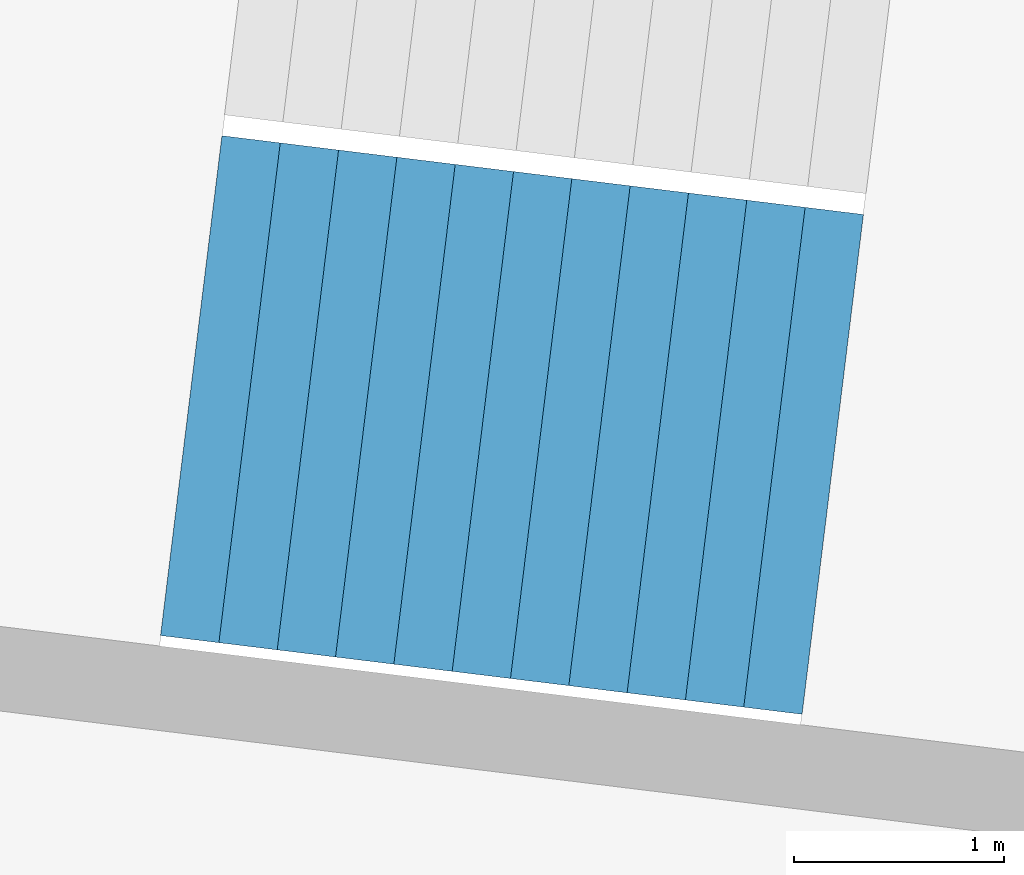
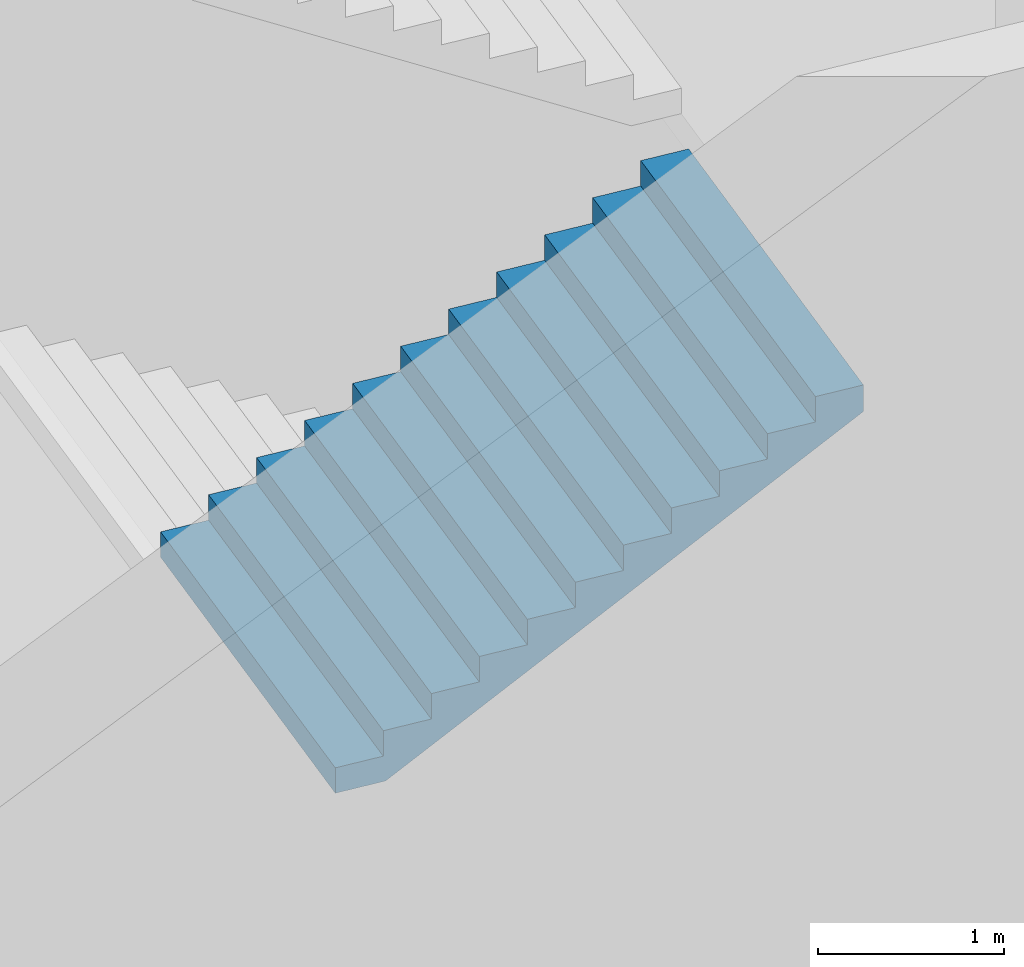
# One storey, part 55 of 74: 1 stair flight, 1 element without a shape of its own.
"""IFC4 building model written with IfcOpenShell, lengths in metres."""

import ifcopenshell
import ifcopenshell.guid

model = None  # the IFC model being written
_history = None  # IfcOwnerHistory: only IFC2X3 demands one
_inside = {}  # id of a spatial element -> (the spatial element, [elements in it])
_under = {}  # id of a project, library or spatial element -> (it, [spatial elements below it])
_declared = {}  # id of a project -> (the project, [libraries it declares])
_typed = {}  # id of a type object -> (the type object, [elements of that type])
_made_of = {}  # id of a material, layer set ... -> (it, [elements and type objects made of it])


def new_model(schema):
    """Start an empty IFC model of exactly this schema.

    Asked for "IFC4X3", IfcOpenShell would pick the latest addendum, in which some entities
    have other attributes; the version numbers below select the first issue.
    IFC2X3 requires an IfcOwnerHistory on every rooted entity: one is made here for all.
    """
    global model, _history
    if schema == "IFC4X3":
        model = ifcopenshell.file(schema_version=(4, 3, 0, 0))
    else:
        model = ifcopenshell.file(schema=schema)
    _inside.clear()
    _under.clear()
    _declared.clear()
    _typed.clear()
    _made_of.clear()
    _history = None
    if model.schema == "IFC2X3":
        org = make("IfcOrganization", Name="unknown")
        user = make(
            "IfcPersonAndOrganization",
            ThePerson=make("IfcPerson", FamilyName="unknown"),
            TheOrganization=org,
        )
        app = make(
            "IfcApplication",
            ApplicationDeveloper=org,
            Version="unknown",
            ApplicationFullName="unknown",
            ApplicationIdentifier="unknown",
        )
        _history = make(
            "IfcOwnerHistory",
            OwningUser=user,
            OwningApplication=app,
            ChangeAction="ADDED",
            CreationDate=0,
        )
    return model


def make(cls, **values):
    """One entity of the class cls with the attributes given. An attribute that is None is left unset."""
    return model.create_entity(
        cls, **{name: value for name, value in values.items() if value is not None}
    )


def rooted(cls, **values):
    """An entity with a GlobalId (a new one), such as an element, a storey or a relation."""
    return make(cls, GlobalId=ifcopenshell.guid.new(), OwnerHistory=_history, **values)


def si_unit(unit_type, name, prefix=None):
    """IfcSIUnit, for example si_unit("LENGTHUNIT", "METRE", prefix="MILLI")."""
    return make("IfcSIUnit", UnitType=unit_type, Prefix=prefix, Name=name)


def assignment(units):
    """IfcUnitAssignment: the units of a project."""
    return None if units is None else make("IfcUnitAssignment", Units=units)


def point(xyz):
    """IfcCartesianPoint."""
    return None if xyz is None else make("IfcCartesianPoint", Coordinates=xyz)


def direction(xyz):
    """IfcDirection."""
    return None if xyz is None else make("IfcDirection", DirectionRatios=xyz)


def frame(location, z_axis=None, x_axis=None):
    """IfcAxis2Placement3D, a coordinate frame: its origin and axes. An axis left out is left unset."""
    return make(
        "IfcAxis2Placement3D",
        Location=point(location),
        Axis=direction(z_axis),
        RefDirection=direction(x_axis),
    )


def origin():
    """The frame at (0, 0, 0) with its axes left unset."""
    return frame((0.0, 0.0, 0.0))


def place(relative_to, where):
    """IfcLocalPlacement: puts the frame where relative to a parent placement (None: the world)."""
    return make(
        "IfcLocalPlacement", PlacementRelTo=relative_to, RelativePlacement=where
    )


def context(
    kind, dimensions, precision=None, world=None, true_north=None, identifier=None
):
    """IfcGeometricRepresentationContext, for example the 3D "Model" context."""
    return make(
        "IfcGeometricRepresentationContext",
        ContextIdentifier=identifier,
        ContextType=kind,
        CoordinateSpaceDimension=dimensions,
        Precision=precision,
        WorldCoordinateSystem=world,
        TrueNorth=true_north,
    )


def subcontext(parent, identifier, kind, view, scale=None):
    """IfcGeometricRepresentationSubContext, for example "Body" below "Model"."""
    return make(
        "IfcGeometricRepresentationSubContext",
        ContextIdentifier=identifier,
        ContextType=kind,
        ParentContext=parent,
        TargetScale=scale,
        TargetView=view,
    )


def project(units=None, contexts=None):
    """IfcProject with its units and contexts."""
    return rooted(
        "IfcProject",
        Name="project",
        RepresentationContexts=contexts,
        UnitsInContext=assignment(units),
    )


def spatial(cls, under=None, at=None, **own):
    """A site, building, storey or space (cls), placed at a placement, below another one or the project."""
    s = rooted(cls, ObjectPlacement=at, **own)
    if under is not None:
        _under.setdefault(under.id(), (under, []))[1].append(s)
    return s


def point_list(points):
    """IfcCartesianPointList2D or 3D."""
    cls = (
        "IfcCartesianPointList2D" if len(points[0]) == 2 else "IfcCartesianPointList3D"
    )
    return make(cls, CoordList=points)


def triangles(points, corners, closed=None, point_numbers=None):
    """IfcTriangulatedFaceSet: each triangle names its three corners, points numbered from 1."""
    return make(
        "IfcTriangulatedFaceSet",
        Coordinates=point_list(points),
        Closed=closed,
        CoordIndex=corners,
        PnIndex=point_numbers,
    )


def shape(context_of_items, identifier, shape_type, items):
    """IfcShapeRepresentation: the items that make up one representation, for example the "Body"."""
    return make(
        "IfcShapeRepresentation",
        ContextOfItems=context_of_items,
        RepresentationIdentifier=identifier,
        RepresentationType=shape_type,
        Items=items,
    )


def material(Name=None, Category=None):
    """IfcMaterial."""
    return make("IfcMaterial", Name=Name, Category=Category)


def made_of(thing, what):
    """Note that an element or type object is made of a material, layer set ...; save() writes the relation."""
    if what is not None:
        _made_of.setdefault(what.id(), (what, []))[1].append(thing)
    return thing


def type_object(cls, material=None, **own):
    """A type object (cls), such as IfcWallType, which elements share."""
    return made_of(rooted(cls, **own), material)


def element(
    cls,
    number,
    at=None,
    inside=None,
    cuts=None,
    type_object=None,
    material=None,
    context=None,
    identifier="Body",
    shape_type=None,
    held_by="IfcProductDefinitionShape",
    body=None,
    shapes=None,
    **own,
):
    """One element of the class cls, such as IfcWall. Its Tag is "e" and its number.

    at: its placement. inside: the storey or other place that contains it. cuts: it is an
    opening in that element (IfcRelVoidsElement). A single representation is given by context,
    identifier, shape_type and body (its items); several are given by shapes. held_by: the class
    of the entity that holds the representations. save() writes the other relations.
    """
    e = rooted(cls, Tag="e%d" % number, ObjectPlacement=at, **own)
    if body is not None:
        shapes = [shape(context, identifier, shape_type, body)]
    if shapes is not None:
        e.Representation = make(held_by, Representations=shapes)
    if inside is not None:
        _inside.setdefault(inside.id(), (inside, []))[1].append(e)
    if cuts is not None:
        rooted(
            "IfcRelVoidsElement", RelatingBuildingElement=cuts, RelatedOpeningElement=e
        )
    if type_object is not None:
        _typed.setdefault(type_object.id(), (type_object, []))[1].append(e)
    return made_of(e, material)


def aggregate(whole, parts):
    """IfcRelAggregates: a whole, such as a stair, and the parts it consists of."""
    return rooted("IfcRelAggregates", RelatingObject=whole, RelatedObjects=parts)


def save(model, path):
    """Write the relations noted so far, then the file.

    IfcRelAggregates (storeys below a building ...), IfcRelContainedInSpatialStructure (elements
    in a storey), IfcRelDefinesByType, IfcRelAssociatesMaterial and IfcRelDeclares: one each for
    every whole, place, type object, material and project.
    """
    for whole, parts in _under.values():
        aggregate(whole, parts)
    for where, things in _inside.values():
        rooted(
            "IfcRelContainedInSpatialStructure",
            RelatedElements=things,
            RelatingStructure=where,
        )
    for kind, things in _typed.values():
        rooted("IfcRelDefinesByType", RelatedObjects=things, RelatingType=kind)
    for what, things in _made_of.values():
        rooted("IfcRelAssociatesMaterial", RelatedObjects=things, RelatingMaterial=what)
    for by, libraries in _declared.values():
        rooted("IfcRelDeclares", RelatingContext=by, RelatedDefinitions=libraries)
    model.write(path)


model = new_model("IFC4")

# Units and contexts
model_context = context("Model", 3, precision=1e-05, world=origin(), true_north=direction((0.0, 1.0)))
body_context = subcontext(model_context, "Body", "Model", "MODEL_VIEW")
ifc_project = project(units=[si_unit("LENGTHUNIT", "METRE"), si_unit("AREAUNIT", "SQUARE_METRE"), si_unit("VOLUMEUNIT", "CUBIC_METRE"), si_unit("PLANEANGLEUNIT", "RADIAN"), si_unit("MASSUNIT", "GRAM", prefix="KILO")], contexts=[model_context])

# Site, building, storey
site_placement = place(None, origin())
site = spatial("IfcSite", under=ifc_project, at=site_placement, CompositionType="ELEMENT")
building_placement = place(site_placement, origin())
building = spatial("IfcBuilding", under=site, at=building_placement, Name="Lantaw Convention Tower", CompositionType="ELEMENT")
storey_placement = place(building_placement, frame((0.0, 0.0, 6.5)))
storey = spatial("IfcBuildingStorey", under=building, at=storey_placement, Name="L01", CompositionType="ELEMENT", Elevation=6.5)

# Stair, stair flight
ifc_material = material(Name="Concrete C35/45", Category="concrete")
stair_type = type_object("IfcStairType", Name="Exit stair 2400 riser 166.67 in 4 flights", PredefinedType="HALF_TURN_STAIR", material=ifc_material)
stair_placement = place(storey_placement, origin())
stair = element("IfcStair", 1, at=stair_placement, inside=storey, type_object=stair_type, Name="Podium exit stair P13 L01", PredefinedType="HALF_TURN_STAIR")
stair_flight_type = type_object("IfcStairFlightType", Name="Stair flight 2400 riser 166.67", PredefinedType="STRAIGHT", material=ifc_material)
stair_flight_placement = place(storey_placement, frame((34.857421875, -5.539306640625, 4.0), z_axis=(0.0, 0.0, 1.0), x_axis=(0.992546151641, -0.121869343405, 0.0)))
stair_flight = element("IfcStairFlight", 2, at=stair_flight_placement, type_object=stair_flight_type, Name="P13 flight 3", NumberOfRisers=12, NumberOfTreads=11, PredefinedType="STRAIGHT", RiserHeight=0.166666667, TreadLength=0.28, context=body_context, shape_type="Tessellation", body=[
    triangles([(0.0, 1.199951171875, 0.0), (0.0, 1.199951171875, 0.166666667), (0.28, 1.199951171875, 0.0), (0.28, 1.199951171875, 0.166666667), (0.28, 1.199951171875, 0.333333334), (0.29307345806906726, 1.199951171875, 0.0), (0.29307345806906726, 1.199951171875, 0.333333334), (0.56, 1.199951171875, 0.15888484670522965), (0.56, 1.199951171875, 0.333333334), (0.56, 1.199951171875, 0.500000001), (0.8400000000000001, 1.199951171875, 0.3255515137052296), (0.8400000000000001, 1.199951171875, 0.500000001), (0.8400000000000001, 1.199951171875, 0.666666668), (1.12, 1.199951171875, 0.4922181807052296), (1.12, 1.199951171875, 0.666666668), (1.12, 1.199951171875, 0.833333335), (1.4000000000000001, 1.199951171875, 0.6588848477052296), (1.4000000000000001, 1.199951171875, 0.833333335), (1.4000000000000001, 1.199951171875, 1.000000002), (1.6800000000000002, 1.199951171875, 0.8255515147052296), (1.6800000000000002, 1.199951171875, 1.000000002), (1.6800000000000002, 1.199951171875, 1.166666669), (1.9600000000000002, 1.199951171875, 0.9922181817052296), (1.9600000000000002, 1.199951171875, 1.166666669), (1.9600000000000002, 1.199951171875, 1.333333336), (2.24, 1.199951171875, 1.1588848487052295), (2.24, 1.199951171875, 1.333333336), (2.24, 1.199951171875, 1.5000000029999998), (2.5200000000000005, 1.199951171875, 1.3255515157052296), (2.5200000000000005, 1.199951171875, 1.5000000029999998), (2.5200000000000005, 1.199951171875, 1.66666667), (2.8000000000000003, 1.199951171875, 1.4922181827052294), (2.8000000000000003, 1.199951171875, 1.66666667), (2.8000000000000003, 1.199951171875, 1.833333337), (3.08, 1.199951171875, 1.6588848497052293), (3.08, 1.199951171875, 1.833333337), (0.0, -1.199951171875, 0.0), (0.0, -1.199951171875, 0.166666667), (0.28, -1.199951171875, 0.0), (0.28, -1.199951171875, 0.166666667), (0.28, -1.199951171875, 0.333333334), (0.29307345806906726, -1.199951171875, 0.0), (0.29307345806906726, -1.199951171875, 0.333333334), (0.56, -1.199951171875, 0.15888484670522965), (0.56, -1.199951171875, 0.333333334), (0.56, -1.199951171875, 0.500000001), (0.8400000000000001, -1.199951171875, 0.3255515137052296), (0.8400000000000001, -1.199951171875, 0.500000001), (0.8400000000000001, -1.199951171875, 0.666666668), (1.12, -1.199951171875, 0.4922181807052296), (1.12, -1.199951171875, 0.666666668), (1.12, -1.199951171875, 0.833333335), (1.4000000000000001, -1.199951171875, 0.6588848477052296), (1.4000000000000001, -1.199951171875, 0.833333335), (1.4000000000000001, -1.199951171875, 1.000000002), (1.6800000000000002, -1.199951171875, 0.8255515147052296), (1.6800000000000002, -1.199951171875, 1.000000002), (1.6800000000000002, -1.199951171875, 1.166666669), (1.9600000000000002, -1.199951171875, 0.9922181817052296), (1.9600000000000002, -1.199951171875, 1.166666669), (1.9600000000000002, -1.199951171875, 1.333333336), (2.24, -1.199951171875, 1.1588848487052295), (2.24, -1.199951171875, 1.333333336), (2.24, -1.199951171875, 1.5000000029999998), (2.5200000000000005, -1.199951171875, 1.3255515157052296), (2.5200000000000005, -1.199951171875, 1.5000000029999998), (2.5200000000000005, -1.199951171875, 1.66666667), (2.8000000000000003, -1.199951171875, 1.4922181827052294), (2.8000000000000003, -1.199951171875, 1.66666667), (2.8000000000000003, -1.199951171875, 1.833333337), (3.08, -1.199951171875, 1.6588848497052293), (3.08, -1.199951171875, 1.833333337), (0.0, 0.239990234375, 0.166666667), (0.0, 0.239990234375, 0.0), (0.0, 0.1199951171875, 0.166666667), (0.0, 0.1199951171875, 0.0), (0.0, 0.0, 0.166666667), (0.0, 0.0, 0.0), (0.0, -0.1199951171875, 0.166666667), (0.0, -0.1199951171875, 0.0), (0.0, -0.239990234375, 0.166666667), (0.0, -0.239990234375, 0.0), (0.28, 0.239990234375, 0.333333334), (0.28, 0.239990234375, 0.166666667), (0.28, 0.1199951171875, 0.333333334), (0.28, 0.1199951171875, 0.166666667), (0.28, 0.0, 0.333333334), (0.28, 0.0, 0.166666667), (0.28, -0.1199951171875, 0.333333334), (0.28, -0.1199951171875, 0.166666667), (0.28, -0.239990234375, 0.333333334), (0.28, -0.239990234375, 0.166666667), (0.56, 0.239990234375, 0.500000001), (0.56, 0.239990234375, 0.333333334), (0.56, 0.1199951171875, 0.500000001), (0.56, 0.1199951171875, 0.333333334), (0.56, 0.0, 0.500000001), (0.56, 0.0, 0.333333334), (0.56, -0.1199951171875, 0.500000001), (0.56, -0.1199951171875, 0.333333334), (0.56, -0.239990234375, 0.500000001), (0.56, -0.239990234375, 0.333333334), (0.8400000000000001, 0.239990234375, 0.666666668), (0.8400000000000001, 0.239990234375, 0.500000001), (0.8400000000000001, 0.1199951171875, 0.666666668), (0.8400000000000001, 0.1199951171875, 0.500000001), (0.8400000000000001, 0.0, 0.666666668), (0.8400000000000001, 0.0, 0.500000001), (0.8400000000000001, -0.1199951171875, 0.666666668), (0.8400000000000001, -0.1199951171875, 0.500000001), (0.8400000000000001, -0.239990234375, 0.666666668), (0.8400000000000001, -0.239990234375, 0.500000001), (1.12, 0.239990234375, 0.833333335), (1.12, 0.239990234375, 0.666666668), (1.12, 0.1199951171875, 0.833333335), (1.12, 0.1199951171875, 0.666666668), (1.12, 0.0, 0.833333335), (1.12, 0.0, 0.666666668), (1.12, -0.1199951171875, 0.833333335), (1.12, -0.1199951171875, 0.666666668), (1.12, -0.239990234375, 0.833333335), (1.12, -0.239990234375, 0.666666668), (1.4000000000000001, 0.239990234375, 1.000000002), (1.4000000000000001, 0.239990234375, 0.833333335), (1.4000000000000001, 0.1199951171875, 1.000000002), (1.4000000000000001, 0.1199951171875, 0.833333335), (1.4000000000000001, 0.0, 1.000000002), (1.4000000000000001, 0.0, 0.833333335), (1.4000000000000001, -0.1199951171875, 1.000000002), (1.4000000000000001, -0.1199951171875, 0.833333335), (1.4000000000000001, -0.239990234375, 1.000000002), (1.4000000000000001, -0.239990234375, 0.833333335), (1.6800000000000002, 0.239990234375, 1.166666669), (1.6800000000000002, 0.239990234375, 1.000000002), (1.6800000000000002, 0.1199951171875, 1.166666669), (1.6800000000000002, 0.1199951171875, 1.000000002), (1.6800000000000002, 0.0, 1.166666669), (1.6800000000000002, 0.0, 1.000000002), (1.6800000000000002, -0.1199951171875, 1.166666669), (1.6800000000000002, -0.1199951171875, 1.000000002), (1.6800000000000002, -0.239990234375, 1.166666669), (1.6800000000000002, -0.239990234375, 1.000000002), (1.9600000000000002, 0.239990234375, 1.333333336), (1.9600000000000002, 0.239990234375, 1.166666669), (1.9600000000000002, 0.1199951171875, 1.333333336), (1.9600000000000002, 0.1199951171875, 1.166666669), (1.9600000000000002, 0.0, 1.333333336), (1.9600000000000002, 0.0, 1.166666669), (1.9600000000000002, -0.1199951171875, 1.333333336), (1.9600000000000002, -0.1199951171875, 1.166666669), (1.9600000000000002, -0.239990234375, 1.333333336), (1.9600000000000002, -0.239990234375, 1.166666669), (2.24, 0.239990234375, 1.5000000029999998), (2.24, 0.239990234375, 1.333333336), (2.24, 0.1199951171875, 1.5000000029999998), (2.24, 0.1199951171875, 1.333333336), (2.24, 0.0, 1.5000000029999998), (2.24, 0.0, 1.333333336), (2.24, -0.1199951171875, 1.5000000029999998), (2.24, -0.1199951171875, 1.333333336), (2.24, -0.239990234375, 1.5000000029999998), (2.24, -0.239990234375, 1.333333336), (2.5200000000000005, 0.239990234375, 1.66666667), (2.5200000000000005, 0.239990234375, 1.5000000029999998), (2.5200000000000005, 0.1199951171875, 1.66666667), (2.5200000000000005, 0.1199951171875, 1.5000000029999998), (2.5200000000000005, 0.0, 1.66666667), (2.5200000000000005, 0.0, 1.5000000029999998), (2.5200000000000005, -0.1199951171875, 1.66666667), (2.5200000000000005, -0.1199951171875, 1.5000000029999998), (2.5200000000000005, -0.239990234375, 1.66666667), (2.5200000000000005, -0.239990234375, 1.5000000029999998), (2.8000000000000003, 0.239990234375, 1.833333337), (2.8000000000000003, 0.239990234375, 1.66666667), (2.8000000000000003, 0.1199951171875, 1.833333337), (2.8000000000000003, 0.1199951171875, 1.66666667), (2.8000000000000003, 0.0, 1.833333337), (2.8000000000000003, 0.0, 1.66666667), (2.8000000000000003, -0.1199951171875, 1.833333337), (2.8000000000000003, -0.1199951171875, 1.66666667), (2.8000000000000003, -0.239990234375, 1.833333337), (2.8000000000000003, -0.239990234375, 1.66666667), (0.29307345806906726, 0.239990234375, 0.333333334), (0.29307345806906726, 0.1199951171875, 0.333333334), (0.29307345806906726, 0.0, 0.333333334), (0.29307345806906726, -0.1199951171875, 0.333333334), (0.29307345806906726, -0.239990234375, 0.333333334), (3.08, 0.239990234375, 1.833333337), (3.08, 0.1199951171875, 1.833333337), (3.08, 0.0, 1.833333337), (3.08, -0.1199951171875, 1.833333337), (3.08, -0.239990234375, 1.833333337), (3.08, 0.239990234375, 1.6588848497052293), (3.08, 0.1199951171875, 1.6588848497052293), (3.08, 0.0, 1.6588848497052293), (3.08, -0.1199951171875, 1.6588848497052293), (3.08, -0.239990234375, 1.6588848497052293), (2.8000000000000003, 0.239990234375, 1.4922181827052294), (2.8000000000000003, 0.1199951171875, 1.4922181827052294), (2.8000000000000003, 0.0, 1.4922181827052294), (2.8000000000000003, -0.1199951171875, 1.4922181827052294), (2.8000000000000003, -0.239990234375, 1.4922181827052294), (2.5200000000000005, 0.239990234375, 1.3255515157052296), (2.5200000000000005, 0.1199951171875, 1.3255515157052296), (2.5200000000000005, 0.0, 1.3255515157052296), (2.5200000000000005, -0.1199951171875, 1.3255515157052296), (2.5200000000000005, -0.239990234375, 1.3255515157052296), (2.24, 0.239990234375, 1.1588848487052295), (2.24, 0.1199951171875, 1.1588848487052295), (2.24, 0.0, 1.1588848487052295), (2.24, -0.1199951171875, 1.1588848487052295), (2.24, -0.239990234375, 1.1588848487052295), (1.9600000000000002, 0.239990234375, 0.9922181817052296), (1.9600000000000002, 0.1199951171875, 0.9922181817052296), (1.9600000000000002, 0.0, 0.9922181817052296), (1.9600000000000002, -0.1199951171875, 0.9922181817052296), (1.9600000000000002, -0.239990234375, 0.9922181817052296), (1.6800000000000002, 0.239990234375, 0.8255515147052296), (1.6800000000000002, 0.1199951171875, 0.8255515147052296), (1.6800000000000002, 0.0, 0.8255515147052296), (1.6800000000000002, -0.1199951171875, 0.8255515147052296), (1.6800000000000002, -0.239990234375, 0.8255515147052296), (1.4000000000000001, 0.239990234375, 0.6588848477052296), (1.4000000000000001, 0.1199951171875, 0.6588848477052296), (1.4000000000000001, 0.0, 0.6588848477052296), (1.4000000000000001, -0.1199951171875, 0.6588848477052296), (1.4000000000000001, -0.239990234375, 0.6588848477052296), (1.12, 0.239990234375, 0.4922181807052296), (1.12, 0.1199951171875, 0.4922181807052296), (1.12, 0.0, 0.4922181807052296), (1.12, -0.1199951171875, 0.4922181807052296), (1.12, -0.239990234375, 0.4922181807052296), (0.8400000000000001, 0.239990234375, 0.3255515137052296), (0.8400000000000001, 0.1199951171875, 0.3255515137052296), (0.8400000000000001, 0.0, 0.3255515137052296), (0.8400000000000001, -0.1199951171875, 0.3255515137052296), (0.8400000000000001, -0.239990234375, 0.3255515137052296), (0.56, 0.239990234375, 0.15888484670522965), (0.56, 0.1199951171875, 0.15888484670522965), (0.56, 0.0, 0.15888484670522965), (0.56, -0.1199951171875, 0.15888484670522965), (0.56, -0.239990234375, 0.15888484670522965), (0.29307345806906726, 0.239990234375, 0.0), (0.29307345806906726, 0.1199951171875, 0.0), (0.29307345806906726, 0.0, 0.0), (0.29307345806906726, -0.1199951171875, 0.0), (0.29307345806906726, -0.239990234375, 0.0), (0.28, 0.239990234375, 0.0), (0.28, 0.1199951171875, 0.0), (0.28, 0.0, 0.0), (0.28, -0.1199951171875, 0.0), (0.28, -0.239990234375, 0.0)], [[1, 4, 3], [1, 2, 4], [3, 4, 6], [4, 7, 6], [4, 5, 7], [6, 9, 8], [6, 7, 9], [8, 9, 11], [9, 12, 11], [9, 10, 12], [11, 12, 14], [12, 15, 14], [12, 13, 15], [14, 15, 17], [15, 18, 17], [15, 16, 18], [17, 18, 20], [18, 21, 20], [18, 19, 21], [20, 21, 23], [21, 24, 23], [21, 22, 24], [23, 24, 26], [24, 27, 26], [24, 25, 27], [26, 27, 29], [27, 30, 29], [27, 28, 30], [29, 30, 32], [30, 33, 32], [30, 31, 33], [32, 33, 35], [33, 36, 35], [33, 34, 36], [37, 39, 40], [37, 40, 38], [39, 42, 40], [40, 42, 43], [40, 43, 41], [42, 44, 45], [42, 45, 43], [44, 47, 45], [45, 47, 48], [45, 48, 46], [47, 50, 48], [48, 50, 51], [48, 51, 49], [50, 53, 51], [51, 53, 54], [51, 54, 52], [53, 56, 54], [54, 56, 57], [54, 57, 55], [56, 59, 57], [57, 59, 60], [57, 60, 58], [59, 62, 60], [60, 62, 63], [60, 63, 61], [62, 65, 63], [63, 65, 66], [63, 66, 64], [65, 68, 66], [66, 68, 69], [66, 69, 67], [68, 71, 69], [69, 71, 72], [69, 72, 70], [1, 73, 2], [1, 74, 73], [74, 75, 73], [74, 76, 75], [76, 77, 75], [76, 78, 77], [78, 79, 77], [78, 80, 79], [80, 81, 79], [80, 82, 81], [82, 38, 81], [82, 37, 38], [4, 83, 5], [4, 84, 83], [84, 85, 83], [84, 86, 85], [86, 87, 85], [86, 88, 87], [88, 89, 87], [88, 90, 89], [90, 91, 89], [90, 92, 91], [92, 41, 91], [92, 40, 41], [9, 93, 10], [9, 94, 93], [94, 95, 93], [94, 96, 95], [96, 97, 95], [96, 98, 97], [98, 99, 97], [98, 100, 99], [100, 101, 99], [100, 102, 101], [102, 46, 101], [102, 45, 46], [12, 103, 13], [12, 104, 103], [104, 105, 103], [104, 106, 105], [106, 107, 105], [106, 108, 107], [108, 109, 107], [108, 110, 109], [110, 111, 109], [110, 112, 111], [112, 49, 111], [112, 48, 49], [15, 113, 16], [15, 114, 113], [114, 115, 113], [114, 116, 115], [116, 117, 115], [116, 118, 117], [118, 119, 117], [118, 120, 119], [120, 121, 119], [120, 122, 121], [122, 52, 121], [122, 51, 52], [18, 123, 19], [18, 124, 123], [124, 125, 123], [124, 126, 125], [126, 127, 125], [126, 128, 127], [128, 129, 127], [128, 130, 129], [130, 131, 129], [130, 132, 131], [132, 55, 131], [132, 54, 55], [21, 133, 22], [21, 134, 133], [134, 135, 133], [134, 136, 135], [136, 137, 135], [136, 138, 137], [138, 139, 137], [138, 140, 139], [140, 141, 139], [140, 142, 141], [142, 58, 141], [142, 57, 58], [24, 143, 25], [24, 144, 143], [144, 145, 143], [144, 146, 145], [146, 147, 145], [146, 148, 147], [148, 149, 147], [148, 150, 149], [150, 151, 149], [150, 152, 151], [152, 61, 151], [152, 60, 61], [27, 153, 28], [27, 154, 153], [154, 155, 153], [154, 156, 155], [156, 157, 155], [156, 158, 157], [158, 159, 157], [158, 160, 159], [160, 161, 159], [160, 162, 161], [162, 64, 161], [162, 63, 64], [30, 163, 31], [30, 164, 163], [164, 165, 163], [164, 166, 165], [166, 167, 165], [166, 168, 167], [168, 169, 167], [168, 170, 169], [170, 171, 169], [170, 172, 171], [172, 67, 171], [172, 66, 67], [33, 173, 34], [33, 174, 173], [174, 175, 173], [174, 176, 175], [176, 177, 175], [176, 178, 177], [178, 179, 177], [178, 180, 179], [180, 181, 179], [180, 182, 181], [182, 70, 181], [182, 69, 70], [2, 84, 4], [2, 73, 84], [73, 86, 84], [73, 75, 86], [75, 88, 86], [75, 77, 88], [77, 90, 88], [77, 79, 90], [79, 92, 90], [79, 81, 92], [81, 40, 92], [81, 38, 40], [5, 183, 7], [5, 83, 183], [83, 184, 183], [83, 85, 184], [85, 185, 184], [85, 87, 185], [87, 186, 185], [87, 89, 186], [89, 187, 186], [89, 91, 187], [91, 43, 187], [91, 41, 43], [7, 94, 9], [7, 183, 94], [183, 96, 94], [183, 184, 96], [184, 98, 96], [184, 185, 98], [185, 100, 98], [185, 186, 100], [186, 102, 100], [186, 187, 102], [187, 45, 102], [187, 43, 45], [10, 104, 12], [10, 93, 104], [93, 106, 104], [93, 95, 106], [95, 108, 106], [95, 97, 108], [97, 110, 108], [97, 99, 110], [99, 112, 110], [99, 101, 112], [101, 48, 112], [101, 46, 48], [13, 114, 15], [13, 103, 114], [103, 116, 114], [103, 105, 116], [105, 118, 116], [105, 107, 118], [107, 120, 118], [107, 109, 120], [109, 122, 120], [109, 111, 122], [111, 51, 122], [111, 49, 51], [16, 124, 18], [16, 113, 124], [113, 126, 124], [113, 115, 126], [115, 128, 126], [115, 117, 128], [117, 130, 128], [117, 119, 130], [119, 132, 130], [119, 121, 132], [121, 54, 132], [121, 52, 54], [19, 134, 21], [19, 123, 134], [123, 136, 134], [123, 125, 136], [125, 138, 136], [125, 127, 138], [127, 140, 138], [127, 129, 140], [129, 142, 140], [129, 131, 142], [131, 57, 142], [131, 55, 57], [22, 144, 24], [22, 133, 144], [133, 146, 144], [133, 135, 146], [135, 148, 146], [135, 137, 148], [137, 150, 148], [137, 139, 150], [139, 152, 150], [139, 141, 152], [141, 60, 152], [141, 58, 60], [25, 154, 27], [25, 143, 154], [143, 156, 154], [143, 145, 156], [145, 158, 156], [145, 147, 158], [147, 160, 158], [147, 149, 160], [149, 162, 160], [149, 151, 162], [151, 63, 162], [151, 61, 63], [28, 164, 30], [28, 153, 164], [153, 166, 164], [153, 155, 166], [155, 168, 166], [155, 157, 168], [157, 170, 168], [157, 159, 170], [159, 172, 170], [159, 161, 172], [161, 66, 172], [161, 64, 66], [31, 174, 33], [31, 163, 174], [163, 176, 174], [163, 165, 176], [165, 178, 176], [165, 167, 178], [167, 180, 178], [167, 169, 180], [169, 182, 180], [169, 171, 182], [171, 69, 182], [171, 67, 69], [34, 188, 36], [34, 173, 188], [173, 189, 188], [173, 175, 189], [175, 190, 189], [175, 177, 190], [177, 191, 190], [177, 179, 191], [179, 192, 191], [179, 181, 192], [181, 72, 192], [181, 70, 72], [36, 193, 35], [36, 188, 193], [188, 194, 193], [188, 189, 194], [189, 195, 194], [189, 190, 195], [190, 196, 195], [190, 191, 196], [191, 197, 196], [191, 192, 197], [192, 71, 197], [192, 72, 71], [35, 198, 32], [35, 193, 198], [193, 199, 198], [193, 194, 199], [194, 200, 199], [194, 195, 200], [195, 201, 200], [195, 196, 201], [196, 202, 201], [196, 197, 202], [197, 68, 202], [197, 71, 68], [32, 203, 29], [32, 198, 203], [198, 204, 203], [198, 199, 204], [199, 205, 204], [199, 200, 205], [200, 206, 205], [200, 201, 206], [201, 207, 206], [201, 202, 207], [202, 65, 207], [202, 68, 65], [29, 208, 26], [29, 203, 208], [203, 209, 208], [203, 204, 209], [204, 210, 209], [204, 205, 210], [205, 211, 210], [205, 206, 211], [206, 212, 211], [206, 207, 212], [207, 62, 212], [207, 65, 62], [26, 213, 23], [26, 208, 213], [208, 214, 213], [208, 209, 214], [209, 215, 214], [209, 210, 215], [210, 216, 215], [210, 211, 216], [211, 217, 216], [211, 212, 217], [212, 59, 217], [212, 62, 59], [23, 218, 20], [23, 213, 218], [213, 219, 218], [213, 214, 219], [214, 220, 219], [214, 215, 220], [215, 221, 220], [215, 216, 221], [216, 222, 221], [216, 217, 222], [217, 56, 222], [217, 59, 56], [20, 223, 17], [20, 218, 223], [218, 224, 223], [218, 219, 224], [219, 225, 224], [219, 220, 225], [220, 226, 225], [220, 221, 226], [221, 227, 226], [221, 222, 227], [222, 53, 227], [222, 56, 53], [17, 228, 14], [17, 223, 228], [223, 229, 228], [223, 224, 229], [224, 230, 229], [224, 225, 230], [225, 231, 230], [225, 226, 231], [226, 232, 231], [226, 227, 232], [227, 50, 232], [227, 53, 50], [14, 233, 11], [14, 228, 233], [228, 234, 233], [228, 229, 234], [229, 235, 234], [229, 230, 235], [230, 236, 235], [230, 231, 236], [231, 237, 236], [231, 232, 237], [232, 47, 237], [232, 50, 47], [11, 238, 8], [11, 233, 238], [233, 239, 238], [233, 234, 239], [234, 240, 239], [234, 235, 240], [235, 241, 240], [235, 236, 241], [236, 242, 241], [236, 237, 242], [237, 44, 242], [237, 47, 44], [8, 243, 6], [8, 238, 243], [238, 244, 243], [238, 239, 244], [239, 245, 244], [239, 240, 245], [240, 246, 245], [240, 241, 246], [241, 247, 246], [241, 242, 247], [242, 42, 247], [242, 44, 42], [6, 248, 3], [6, 243, 248], [243, 249, 248], [243, 244, 249], [244, 250, 249], [244, 245, 250], [245, 251, 250], [245, 246, 251], [246, 252, 251], [246, 247, 252], [247, 39, 252], [247, 42, 39], [3, 74, 1], [3, 248, 74], [248, 76, 74], [248, 249, 76], [249, 78, 76], [249, 250, 78], [250, 80, 78], [250, 251, 80], [251, 82, 80], [251, 252, 82], [252, 37, 82], [252, 39, 37]], closed=True),
])
aggregate(stair, [stair_flight])

save(model, "model.ifc")
